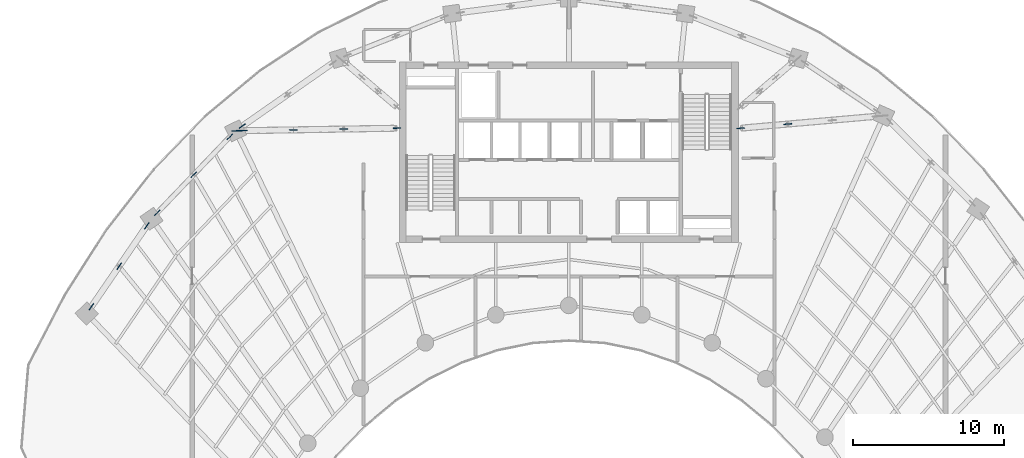
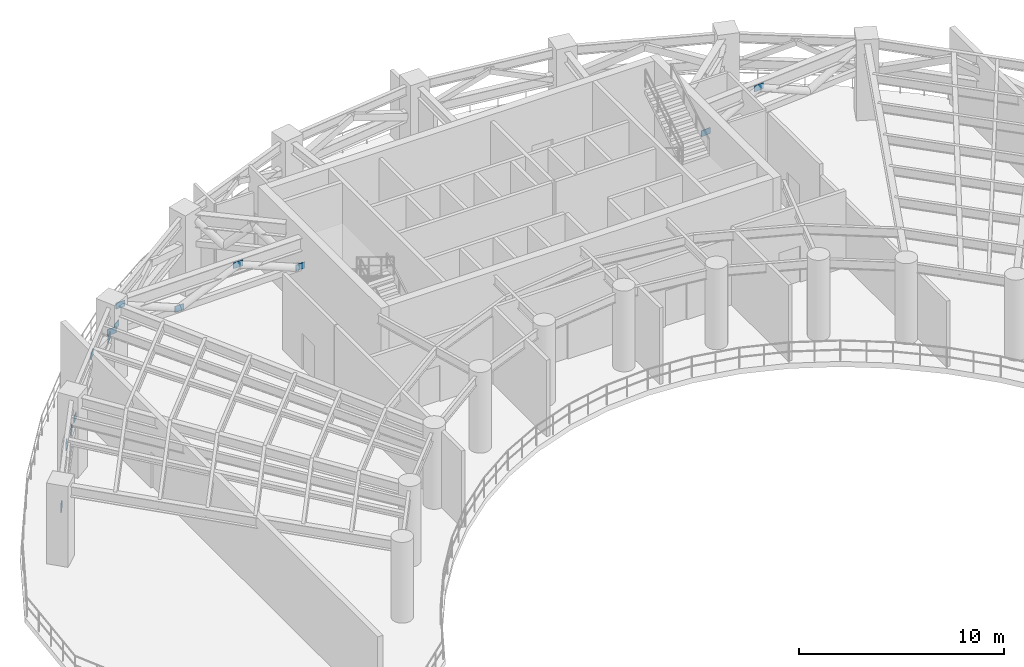
# One storey, part 5 of 19: 14 plates.
"""IFC4 building model written with IfcOpenShell, lengths in metres."""

from ifc_helpers import new_model, si_unit, direction, frame, origin, origin_2d, place, context, subcontext, project, spatial, rectangle, extrude, source, transform, mapped, material, layer, layer_set, type_object, element, save


model = new_model("IFC4")

# Units and contexts
model_context = context("Model", 3, precision=1e-05, world=origin(), true_north=direction((0.0, 1.0)))
body_context = subcontext(model_context, "Body", "Model", "MODEL_VIEW")
ifc_project = project(units=[si_unit("LENGTHUNIT", "METRE"), si_unit("AREAUNIT", "SQUARE_METRE"), si_unit("VOLUMEUNIT", "CUBIC_METRE"), si_unit("PLANEANGLEUNIT", "RADIAN"), si_unit("MASSUNIT", "GRAM", prefix="KILO")], contexts=[model_context])

# Site, building, storey
site_placement = place(None, origin())
site = spatial("IfcSite", under=ifc_project, at=site_placement, CompositionType="ELEMENT")
building_placement = place(site_placement, origin())
building = spatial("IfcBuilding", under=site, at=building_placement, Name="Breltana Convention Tower", CompositionType="ELEMENT")
storey_placement = place(building_placement, frame((0.0, 0.0, 194.39990234375)))
storey = spatial("IfcBuildingStorey", under=building, at=storey_placement, Name="L47", CompositionType="ELEMENT", Elevation=194.39990234375)

# Plates
ifc_material = material(Name="Steel S355", Category="steel")
ifc_layer = layer(ifc_material, 0.0400390625, Name="Steel S355")
ifc_layer_set = layer_set([ifc_layer], Name="Steel S355")
plate_type = type_object("IfcPlateType", Name="PL-GUSSET-40", PredefinedType="USERDEFINED", material=ifc_layer_set)
shared_shape = source(origin(), body_context, "Body", "SweptSolid", [
    extrude(rectangle(XDim=0.52001953125, YDim=0.0400390625, at=origin_2d()), origin(), (0.0, 0.0, 1.0), 0.360107421875),
])
for number, where, z_axis, x_axis, name in (
    (1, (36.60009765625, 67.800048828125, 2.56982421875), (0.0, 0.0, 1.0), (-0.999868271089, -0.016230849315, 0.0), "L47 Structural Brace Node Gusset Plate 001"),
    (2, (25.8876953125, 67.626953125, 2.56982421875), (0.0, 0.0, 1.0), (-0.999868271089, -0.016230849315, 0.0), "L47 Structural Brace Node Gusset Plate 002"),
    (3, (33.0625, 67.742919921875, 3.9736328125), (0.0, 0.0, 1.0), (-0.999868271089, -0.016230849315, 0.0), "L47 Structural Brace Node Gusset Plate 003"),
    (4, (29.72509765625, 67.68896484375, 2.56982421875), (0.0, 0.0, 1.0), (-0.999868271089, -0.016230849315, 0.0), "L47 Structural Brace Node Gusset Plate 004"),
    (5, (26.3876953125, 67.635009765625, 3.9736328125), (0.0, 0.0, 1.0), (-0.999868271089, -0.016230849315, 0.0), "L47 Structural Brace Node Gusset Plate 005"),
    (6, (59.39990234375, 67.800048828125, 2.56982421875), (0.0, 0.0, 1.0), (0.996179471372, 0.087329610194, 0.0), "L47 Structural Brace Node Gusset Plate 016"),
    (7, (62.537109375, 68.074951171875, 3.9736328125), (0.0, 0.0, 1.0), (0.996179471372, 0.087329610194, 0.0), "L47 Structural Brace Node Gusset Plate 018"),
    (8, (16.3173828125, 55.948486328125, 2.56982421875), (0.0, 0.0, 1.0), (0.564534897583, 0.825409201191, 0.0), "L47 Structural Brace Node Gusset Plate 021"),
    (9, (18.158935546875, 58.6416015625, 3.9736328125), (0.0, 0.0, 1.0), (0.564534897583, 0.825409201191, 0.0), "L47 Structural Brace Node Gusset Plate 022"),
    (10, (20.00048828125, 61.334716796875, 2.56982421875), (0.0, 0.0, 1.0), (0.564390827903, 0.825507718546, 0.0), "L47 Structural Brace Node Gusset Plate 023"),
    (11, (20.69091796875, 62.186279296875, 2.56982421875), (0.0, 0.0, 1.0), (0.690756218984, 0.723087716626, 0.0), "L47 Structural Brace Node Gusset Plate 024"),
    (12, (23.099365234375, 64.707763671875, 3.9736328125), (0.0, 0.0, 1.0), (0.690756218984, 0.723087716626, 0.0), "L47 Structural Brace Node Gusset Plate 025"),
    (13, (25.5078125, 67.229248046875, 2.56982421875), (0.0, 0.0, 1.0), (0.690756218984, 0.723087716626, 0.0), "L47 Structural Brace Node Gusset Plate 026"),
    (14, (26.3388671875, 67.941650390625, 2.56982421875), (0.0, 0.0, 1.0), (0.820151875874, 0.572145873446, 0.0), "L47 Structural Brace Node Gusset Plate 027"),
):
    element("IfcPlate", number, at=place(storey_placement, frame(where, z_axis=z_axis, x_axis=x_axis)), inside=storey, type_object=plate_type, Name=name, ObjectType="GUSSET_PLATE", PredefinedType="USERDEFINED", context=body_context, shape_type="MappedRepresentation", body=[
        mapped(shared_shape, transform((0.0, 0.0, 0.0), scale=1.0)),
    ])

save(model, "model.ifc")
